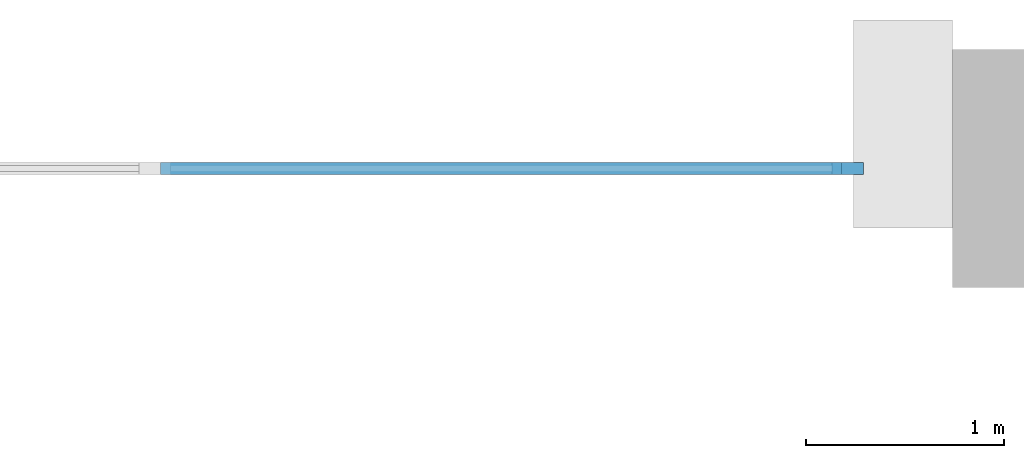
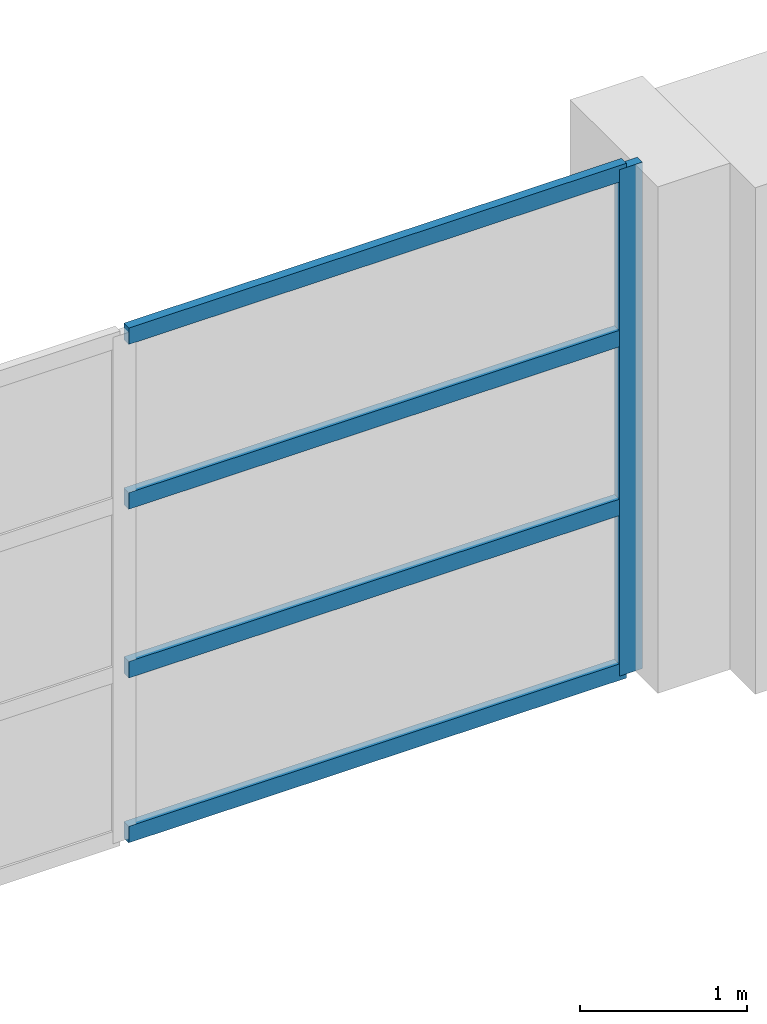
# One storey, part 13 of 57: 5 members, 1 element without a shape of its own.
"""IFC4 building model written with IfcOpenShell, lengths in metres."""

from ifc_helpers import new_model, si_unit, direction, frame, origin, origin_2d, place, context, subcontext, project, spatial, rectangle, extrude, material, layer, layer_set, material_profile, profile_set, type_object, element, aggregate, save


model = new_model("IFC4")

# Units and contexts
model_context = context("Model", 3, precision=1e-05, world=origin(), true_north=direction((0.0, 1.0)))
body_context = subcontext(model_context, "Body", "Model", "MODEL_VIEW")
ifc_project = project(units=[si_unit("LENGTHUNIT", "METRE"), si_unit("AREAUNIT", "SQUARE_METRE"), si_unit("VOLUMEUNIT", "CUBIC_METRE"), si_unit("PLANEANGLEUNIT", "RADIAN"), si_unit("MASSUNIT", "GRAM", prefix="KILO")], contexts=[model_context])

# Site, building, storey
site_placement = place(None, origin())
site = spatial("IfcSite", under=ifc_project, at=site_placement, CompositionType="ELEMENT")
building_placement = place(site_placement, origin())
building = spatial("IfcBuilding", under=site, at=building_placement, Name="Cour d'Honneur Mobility Palace", CompositionType="ELEMENT")
storey_placement = place(building_placement, frame((0.0, 0.0, 8.199951171875)))
storey = spatial("IfcBuildingStorey", under=building, at=storey_placement, Name="L02", CompositionType="ELEMENT", Elevation=8.199951171875)

# Curtain wall, members
ifc_material_1 = material(Name="Aluminium and glass", Category="aluminium")
ifc_layer = layer(ifc_material_1, 0.10009765625)
ifc_layer_set = layer_set([ifc_layer], Name="Aluminium and glass")
curtain_wall_type = type_object("IfcCurtainWallType", Name="Curtain wall run", PredefinedType="NOTDEFINED", material=ifc_layer_set)
curtain_wall_placement = place(storey_placement, origin())
curtain_wall = element("IfcCurtainWall", 1, at=curtain_wall_placement, inside=storey, type_object=curtain_wall_type, Name="Curtain wall CW-180", PredefinedType="NOTDEFINED")
ifc_material_2 = material(Name="Aluminium", Category="aluminium")
ifc_material_profile_1 = material_profile(ifc_material_2, rectangle(XDim=0.06005859375, YDim=0.159912109375, at=origin_2d()), Name="Curtain wall mullion")
ifc_profile_set_1 = profile_set([ifc_material_profile_1], Name="Aluminium")
member_type_1 = type_object("IfcMemberType", Name="Curtain wall mullion", PredefinedType="MULLION", material=ifc_profile_set_1)
member_1_placement = place(storey_placement, frame((98.77001953125, 114.89990234375, 0.0), z_axis=(0.0, 0.0, 1.0), x_axis=(0.0, 1.0, 0.0)))
member_1 = element("IfcMember", 2, at=member_1_placement, type_object=member_type_1, Name="CW-180 mullion 3", PredefinedType="MULLION", context=body_context, shape_type="SweptSolid", body=[
    extrude(rectangle(XDim=0.06005859375, YDim=0.159912109375, at=origin_2d()), origin(), (0.0, 0.0, 1.0), 3.699951171875),
])
ifc_material_3 = material(Name="Aluminium", Category="aluminium")
ifc_material_profile_2 = material_profile(ifc_material_3, rectangle(XDim=0.06005859375, YDim=0.1201171875, at=origin_2d()), Name="Curtain wall transom")
ifc_profile_set_2 = profile_set([ifc_material_profile_2], Name="Aluminium")
member_type_2 = type_object("IfcMemberType", Name="Curtain wall transom", PredefinedType="USERDEFINED", material=ifc_profile_set_2)
member_2_placement = place(storey_placement, frame((95.300048828125, 114.89990234375, 0.030029296875), z_axis=(1.0, 0.0, 0.0), x_axis=(0.0, 1.0, 0.0)))
member_2 = element("IfcMember", 3, at=member_2_placement, type_object=member_type_2, Name="CW-180 transom 2.1", ObjectType="TRANSOM", PredefinedType="USERDEFINED", context=body_context, shape_type="SweptSolid", body=[
    extrude(rectangle(XDim=0.06005859375, YDim=0.1201171875, at=origin_2d()), origin(), (0.0, 0.0, 1.0), 3.43994140625),
])
member_3_placement = place(storey_placement, frame((95.300048828125, 114.89990234375, 1.2333984375), z_axis=(1.0, 0.0, 0.0), x_axis=(0.0, 1.0, 0.0)))
member_3 = element("IfcMember", 4, at=member_3_placement, type_object=member_type_2, Name="CW-180 transom 2.2", ObjectType="TRANSOM", PredefinedType="USERDEFINED", context=body_context, shape_type="SweptSolid", body=[
    extrude(rectangle(XDim=0.06005859375, YDim=0.1201171875, at=origin_2d()), origin(), (0.0, 0.0, 1.0), 3.43994140625),
])
member_4_placement = place(storey_placement, frame((95.300048828125, 114.89990234375, 2.466796875), z_axis=(1.0, 0.0, 0.0), x_axis=(0.0, 1.0, 0.0)))
member_4 = element("IfcMember", 5, at=member_4_placement, type_object=member_type_2, Name="CW-180 transom 2.3", ObjectType="TRANSOM", PredefinedType="USERDEFINED", context=body_context, shape_type="SweptSolid", body=[
    extrude(rectangle(XDim=0.06005859375, YDim=0.1201171875, at=origin_2d()), origin(), (0.0, 0.0, 1.0), 3.43994140625),
])
member_5_placement = place(storey_placement, frame((95.300048828125, 114.89990234375, 3.670166015625), z_axis=(1.0, 0.0, 0.0), x_axis=(0.0, 1.0, 0.0)))
member_5 = element("IfcMember", 6, at=member_5_placement, type_object=member_type_2, Name="CW-180 transom 2.4", ObjectType="TRANSOM", PredefinedType="USERDEFINED", context=body_context, shape_type="SweptSolid", body=[
    extrude(rectangle(XDim=0.06005859375, YDim=0.1201171875, at=origin_2d()), origin(), (0.0, 0.0, 1.0), 3.43994140625),
])
aggregate(curtain_wall, [member_1, member_2, member_3, member_4, member_5])

save(model, "model.ifc")
